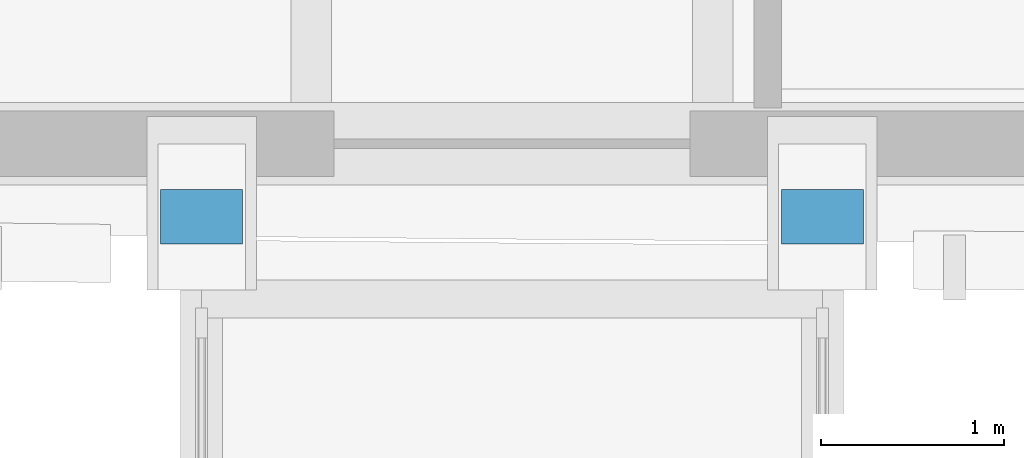
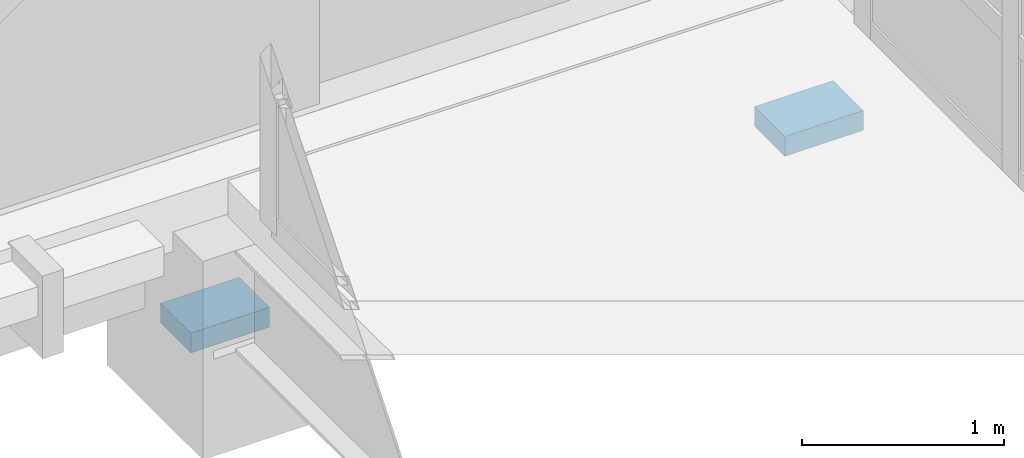
# One storey, part 101 of 125: 2 discrete accessories.
"""IFC4 building model written with IfcOpenShell, lengths in metres."""

from ifc_helpers import new_model, si_unit, direction, frame, origin, origin_2d, place, context, subcontext, project, spatial, rectangle, extrude, material, type_object, element, save


model = new_model("IFC4")

# Units and contexts
model_context = context("Model", 3, precision=1e-05, world=origin(), true_north=direction((0.0, 1.0)))
body_context = subcontext(model_context, "Body", "Model", "MODEL_VIEW")
ifc_project = project(units=[si_unit("LENGTHUNIT", "METRE"), si_unit("AREAUNIT", "SQUARE_METRE"), si_unit("VOLUMEUNIT", "CUBIC_METRE"), si_unit("PLANEANGLEUNIT", "RADIAN"), si_unit("MASSUNIT", "GRAM", prefix="KILO")], contexts=[model_context])

# Site, building, storey
site_placement = place(None, origin())
site = spatial("IfcSite", under=ifc_project, at=site_placement, CompositionType="ELEMENT")
building_placement = place(site_placement, origin())
building = spatial("IfcBuilding", under=site, at=building_placement, Name="Dornvale Research Institute", CompositionType="ELEMENT")
storey_placement = place(building_placement, frame((0.0, 0.0, 5.39990234375)))
storey = spatial("IfcBuildingStorey", under=building, at=storey_placement, Name="L01", CompositionType="ELEMENT", Elevation=5.39990234375)

# Discrete accessories
ifc_material = material(Name="Elastomeric PTFE Sliding Bearing Assembly")
discrete_accessory_type = type_object("IfcDiscreteAccessoryType", Name="Bracket_PTFE_Sliding_Seat", PredefinedType="BRACKET", material=ifc_material)
for number, where, z_axis, x_axis, name in (
    (1, (140.199951171875, 92.0, -0.951904296875), (0.0, 0.0, 1.0), (1.0, 0.0, 0.0), "Unguided PTFE sliding bridge bearing BR-7-1"),
    (2, (143.60009765625, 92.0, -0.951904296875), (0.0, 0.0, 1.0), (1.0, 0.0, 0.0), "Unguided PTFE sliding bridge bearing BR-7-2"),
):
    element("IfcDiscreteAccessory", number, at=place(storey_placement, frame(where, z_axis=z_axis, x_axis=x_axis)), inside=storey, type_object=discrete_accessory_type, Name=name, PredefinedType="BRACKET", context=body_context, shape_type="SweptSolid", body=[
        extrude(rectangle(XDim=0.449951171875, YDim=0.300048828125, at=origin_2d()), origin(), (0.0, 0.0, 1.0), 0.1201171875),
    ])

save(model, "model.ifc")
